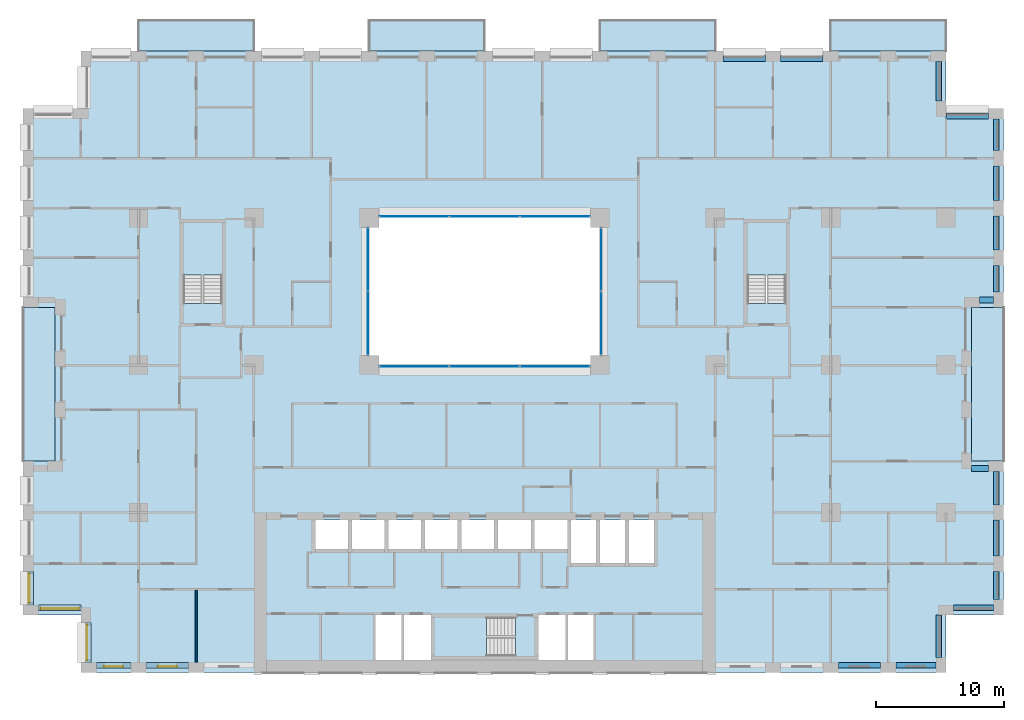
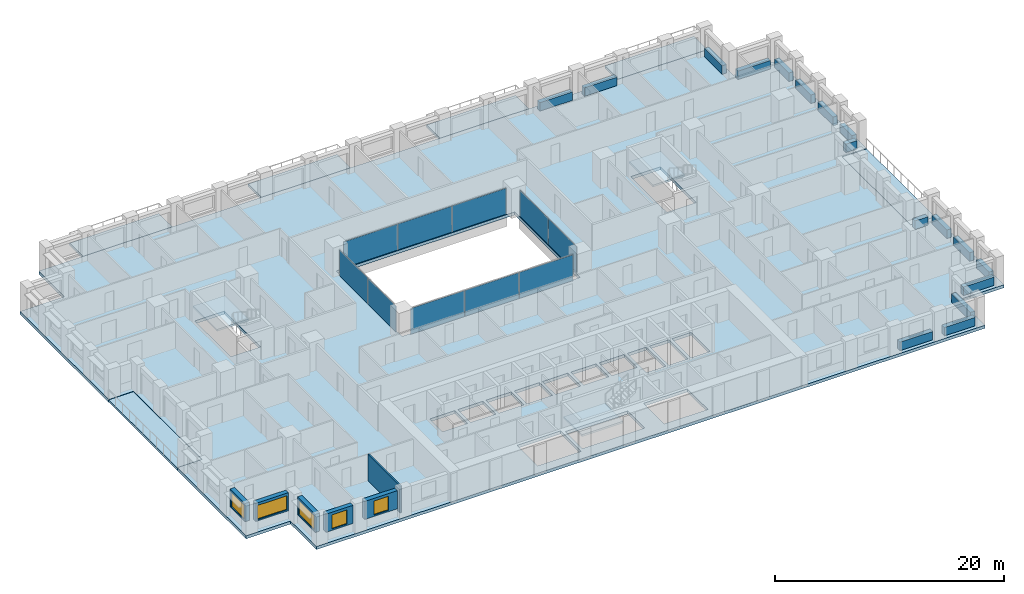
# One storey, part 8 of 19: 17 beams, 10 plates, 10 slabs, 6 walls, 5 windows, 5 openings, 7 elements without a shape of their own.
"""IFC4 building model written with IfcOpenShell, lengths in metres."""

from ifc_helpers import new_model, si_unit, direction, frame, frame_2d, origin, origin_2d, place, context, subcontext, project, spatial, polyline, rectangle, outline, extrude, material, layer, layer_set, material_profile, profile_set, type_object, element, fill, aggregate, save


model = new_model("IFC4")

# Units and contexts
model_context = context("Model", 3, precision=1e-05, world=origin(), true_north=direction((0.0, 1.0)))
body_context = subcontext(model_context, "Body", "Model", "MODEL_VIEW")
ifc_project = project(units=[si_unit("LENGTHUNIT", "METRE"), si_unit("AREAUNIT", "SQUARE_METRE"), si_unit("VOLUMEUNIT", "CUBIC_METRE"), si_unit("PLANEANGLEUNIT", "RADIAN"), si_unit("MASSUNIT", "GRAM", prefix="KILO")], contexts=[model_context])

# Site, building, storey
site_placement = place(None, origin())
site = spatial("IfcSite", under=ifc_project, at=site_placement, CompositionType="ELEMENT")
building_placement = place(site_placement, origin())
building = spatial("IfcBuilding", under=site, at=building_placement, Name="Brigalow Station Residences", CompositionType="ELEMENT")
storey_placement = place(building_placement, frame((0.0, 0.0, 22.64990234375)))
storey = spatial("IfcBuildingStorey", under=building, at=storey_placement, Name="L05", CompositionType="ELEMENT", Elevation=22.64990234375)

# Beams
ifc_material_1 = material(Name="Concrete C65", Category="concrete")
ifc_material_profile = material_profile(ifc_material_1, rectangle(XDim=0.449951171875, YDim=0.89990234375, at=origin_2d()), Name="RC450x900")
ifc_profile_set = profile_set([ifc_material_profile], Name="Concrete C65")
beam_type = type_object("IfcBeamType", Name="SPANDREL BEAM 450x900 C65", PredefinedType="SPANDREL", material=ifc_profile_set)
beam_1_placement = place(storey_placement, frame((63.60009765625, 0.574951171875, 0.4501953125), z_axis=(1.0, 0.0, 0.0), x_axis=(0.0, 1.0, 0.0)))
element("IfcBeam", 1, at=beam_1_placement, inside=storey, type_object=beam_type, Name="L05/spandrel/W-L05-7", PredefinedType="SPANDREL", context=body_context, shape_type="SweptSolid", body=[
    extrude(rectangle(XDim=0.449951171875, YDim=0.89990234375, at=origin_2d()), origin(), (0.0, 0.0, 1.0), 3.2998046875),
])
beam_2_placement = place(storey_placement, frame((68.10009765625, 0.574951171875, 0.4501953125), z_axis=(1.0, 0.0, 0.0), x_axis=(0.0, 1.0, 0.0)))
element("IfcBeam", 2, at=beam_2_placement, inside=storey, type_object=beam_type, Name="L05/spandrel/W-L05-8", PredefinedType="SPANDREL", context=body_context, shape_type="SweptSolid", body=[
    extrude(rectangle(XDim=0.449951171875, YDim=0.89990234375, at=origin_2d()), origin(), (0.0, 0.0, 1.0), 3.099853515625),
])
beam_3_placement = place(storey_placement, frame((71.425048828125, 1.199951171875, 0.4501953125), z_axis=(0.0, 1.0, 0.0), x_axis=(-1.0, 0.0, 0.0)))
element("IfcBeam", 3, at=beam_3_placement, inside=storey, type_object=beam_type, Name="L05/spandrel/W-L05-9", PredefinedType="SPANDREL", context=body_context, shape_type="SweptSolid", body=[
    extrude(rectangle(XDim=0.449951171875, YDim=0.89990234375, at=origin_2d()), origin(), (0.0, 0.0, 1.0), 3.300048828125),
])
beam_4_placement = place(storey_placement, frame((72.60009765625, 5.074951171875, 0.4501953125), z_axis=(1.0, 0.0, 0.0), x_axis=(0.0, 1.0, 0.0)))
element("IfcBeam", 4, at=beam_4_placement, inside=storey, type_object=beam_type, Name="L05/spandrel/W-L05-10", PredefinedType="SPANDREL", context=body_context, shape_type="SweptSolid", body=[
    extrude(rectangle(XDim=0.449951171875, YDim=0.89990234375, at=origin_2d()), origin(), (0.0, 0.0, 1.0), 3.099853515625),
])
beam_5_placement = place(storey_placement, frame((75.925048828125, 5.699951171875, 0.4501953125), z_axis=(0.0, 1.0, 0.0), x_axis=(-1.0, 0.0, 0.0)))
element("IfcBeam", 5, at=beam_5_placement, inside=storey, type_object=beam_type, Name="L05/spandrel/W-L05-11", PredefinedType="SPANDREL", context=body_context, shape_type="SweptSolid", body=[
    extrude(rectangle(XDim=0.449951171875, YDim=0.89990234375, at=origin_2d()), origin(), (0.0, 0.0, 1.0), 2.199951171875),
])
beam_6_placement = place(storey_placement, frame((75.925048828125, 9.10009765625, 0.4501953125), z_axis=(0.0, 1.0, 0.0), x_axis=(-1.0, 0.0, 0.0)))
element("IfcBeam", 6, at=beam_6_placement, inside=storey, type_object=beam_type, Name="L05/spandrel/W-L05-12", PredefinedType="SPANDREL", context=body_context, shape_type="SweptSolid", body=[
    extrude(rectangle(XDim=0.449951171875, YDim=0.89990234375, at=origin_2d()), origin(), (0.0, 0.0, 1.0), 2.7998046875),
])
beam_7_placement = place(storey_placement, frame((75.925048828125, 13.10009765625, 0.4501953125), z_axis=(0.0, 1.0, 0.0), x_axis=(-1.0, 0.0, 0.0)))
element("IfcBeam", 7, at=beam_7_placement, inside=storey, type_object=beam_type, Name="L05/spandrel/W-L05-13", PredefinedType="SPANDREL", context=body_context, shape_type="SweptSolid", body=[
    extrude(rectangle(XDim=0.449951171875, YDim=0.89990234375, at=origin_2d()), origin(), (0.0, 0.0, 1.0), 2.599853515625),
])
beam_8_placement = place(storey_placement, frame((75.300048828125, 15.925048828125, 0.4501953125), z_axis=(-1.0, 0.0, 0.0), x_axis=(0.0, -1.0, 0.0)))
element("IfcBeam", 8, at=beam_8_placement, inside=storey, type_object=beam_type, Name="L05/spandrel/W-L05-14", PredefinedType="SPANDREL", context=body_context, shape_type="SweptSolid", body=[
    extrude(rectangle(XDim=0.449951171875, YDim=0.89990234375, at=origin_2d()), origin(), (0.0, 0.0, 1.0), 1.300048828125),
])
beam_9_placement = place(storey_placement, frame((74.60009765625, 29.074951171875, 0.4501953125), z_axis=(1.0, 0.0, 0.0), x_axis=(0.0, 1.0, 0.0)))
element("IfcBeam", 9, at=beam_9_placement, inside=storey, type_object=beam_type, Name="L05/spandrel/W-L05-18", PredefinedType="SPANDREL", context=body_context, shape_type="SweptSolid", body=[
    extrude(rectangle(XDim=0.449951171875, YDim=0.89990234375, at=origin_2d()), origin(), (0.0, 0.0, 1.0), 1.099853515625),
])
beam_10_placement = place(storey_placement, frame((75.925048828125, 29.699951171875, 0.4501953125), z_axis=(0.0, 1.0, 0.0), x_axis=(-1.0, 0.0, 0.0)))
element("IfcBeam", 10, at=beam_10_placement, inside=storey, type_object=beam_type, Name="L05/spandrel/W-L05-19", PredefinedType="SPANDREL", context=body_context, shape_type="SweptSolid", body=[
    extrude(rectangle(XDim=0.449951171875, YDim=0.89990234375, at=origin_2d()), origin(), (0.0, 0.0, 1.0), 2.074951171875),
])
for number, where, z_axis, x_axis, name in (
    (11, (75.925048828125, 32.97509765625, 0.4501953125), (0.0, 1.0, 0.0), (-1.0, 0.0, 0.0), "L05/spandrel/W-L05-20"),
    (12, (75.925048828125, 36.85009765625, 0.4501953125), (0.0, 1.0, 0.0), (-1.0, 0.0, 0.0), "L05/spandrel/W-L05-21"),
):
    element("IfcBeam", number, at=place(storey_placement, frame(where, z_axis=z_axis, x_axis=x_axis)), inside=storey, type_object=beam_type, Name=name, PredefinedType="SPANDREL", context=body_context, shape_type="SweptSolid", body=[
        extrude(rectangle(XDim=0.449951171875, YDim=0.89990234375, at=origin_2d()), origin(), (0.0, 0.0, 1.0), 2.6748046875),
    ])
beam_11_placement = place(storey_placement, frame((75.925048828125, 40.72509765625, 0.4501953125), z_axis=(0.0, 1.0, 0.0), x_axis=(-1.0, 0.0, 0.0)))
element("IfcBeam", 13, at=beam_11_placement, inside=storey, type_object=beam_type, Name="L05/spandrel/W-L05-22", PredefinedType="SPANDREL", context=body_context, shape_type="SweptSolid", body=[
    extrude(rectangle(XDim=0.449951171875, YDim=0.89990234375, at=origin_2d()), origin(), (0.0, 0.0, 1.0), 2.474853515625),
])
beam_12_placement = place(storey_placement, frame((75.300048828125, 43.425048828125, 0.4501953125), z_axis=(-1.0, 0.0, 0.0), x_axis=(0.0, -1.0, 0.0)))
element("IfcBeam", 14, at=beam_12_placement, inside=storey, type_object=beam_type, Name="L05/spandrel/W-L05-23", PredefinedType="SPANDREL", context=body_context, shape_type="SweptSolid", body=[
    extrude(rectangle(XDim=0.449951171875, YDim=0.89990234375, at=origin_2d()), origin(), (0.0, 0.0, 1.0), 3.300048828125),
])
beam_13_placement = place(storey_placement, frame((71.425048828125, 44.60009765625, 0.4501953125), z_axis=(0.0, 1.0, 0.0), x_axis=(-1.0, 0.0, 0.0)))
element("IfcBeam", 15, at=beam_13_placement, inside=storey, type_object=beam_type, Name="L05/spandrel/W-L05-24", PredefinedType="SPANDREL", context=body_context, shape_type="SweptSolid", body=[
    extrude(rectangle(XDim=0.449951171875, YDim=0.89990234375, at=origin_2d()), origin(), (0.0, 0.0, 1.0), 3.099853515625),
])
for number, where, z_axis, x_axis, name in (
    (16, (62.39990234375, 47.925048828125, 0.4501953125), (-1.0, 0.0, 0.0), (0.0, -1.0, 0.0), "L05/spandrel/W-L05-27"),
    (17, (57.89990234375, 47.925048828125, 0.4501953125), (-1.0, 0.0, 0.0), (0.0, -1.0, 0.0), "L05/spandrel/W-L05-28"),
):
    element("IfcBeam", number, at=place(storey_placement, frame(where, z_axis=z_axis, x_axis=x_axis)), inside=storey, type_object=beam_type, Name=name, PredefinedType="SPANDREL", context=body_context, shape_type="SweptSolid", body=[
        extrude(rectangle(XDim=0.449951171875, YDim=0.89990234375, at=origin_2d()), origin(), (0.0, 0.0, 1.0), 3.2998046875),
    ])

# Curtain wall, plates
ifc_material_2 = material(Name="Aluminium", Category="aluminium")
ifc_layer_1 = layer(ifc_material_2, 0.14990234375)
ifc_layer_set_1 = layer_set([ifc_layer_1], Name="ATRIUM FIRE-RATED GLAZING CURTAIN WALL")
curtain_wall_type = type_object("IfcCurtainWallType", Name="ATRIUM FIRE-RATED GLAZING CURTAIN WALL", PredefinedType="NOTDEFINED", material=ifc_layer_set_1)
curtain_wall_1_placement = place(storey_placement, origin())
curtain_wall_1 = element("IfcCurtainWall", 18, at=curtain_wall_1_placement, inside=storey, type_object=curtain_wall_type, Name="L05/cw/atrium-S", PredefinedType="NOTDEFINED")
ifc_material_3 = material(Name="Fire-resisting laminated glazing, FRL -/60/-", Category="glass")
ifc_layer_2 = layer(ifc_material_3, 0.031982421875)
ifc_layer_set_2 = layer_set([ifc_layer_2], Name="ATRIUM FIRE-RATED GLAZING PANEL 32")
plate_type = type_object("IfcPlateType", Name="ATRIUM FIRE-RATED GLAZING PANEL 32", PredefinedType="CURTAIN_PANEL", material=ifc_layer_set_2)
plate_1_placement = place(storey_placement, frame((30.514892578125, 23.89990234375, 0.0), z_axis=(0.0, 0.0, 1.0), x_axis=(1.0, 0.0, 0.0)))
plate_1 = element("IfcPlate", 19, at=plate_1_placement, type_object=plate_type, Name="L05/cw/atrium-S/P00-00", PredefinedType="CURTAIN_PANEL", context=body_context, shape_type="SweptSolid", body=[
    extrude(rectangle(XDim=5.409912109375, YDim=0.031982421875, at=origin_2d()), origin(), (0.0, 0.0, 1.0), 2.77001953125),
])
plate_2_placement = place(storey_placement, frame((36.0, 23.89990234375, 0.0), z_axis=(0.0, 0.0, 1.0), x_axis=(1.0, 0.0, 0.0)))
plate_2 = element("IfcPlate", 20, at=plate_2_placement, type_object=plate_type, Name="L05/cw/atrium-S/P01-00", PredefinedType="CURTAIN_PANEL", context=body_context, shape_type="SweptSolid", body=[
    extrude(rectangle(XDim=5.43994140625, YDim=0.031982421875, at=origin_2d()), origin(), (0.0, 0.0, 1.0), 2.77001953125),
])
plate_3_placement = place(storey_placement, frame((41.485107421875, 23.89990234375, 0.0), z_axis=(0.0, 0.0, 1.0), x_axis=(1.0, 0.0, 0.0)))
plate_3 = element("IfcPlate", 21, at=plate_3_placement, type_object=plate_type, Name="L05/cw/atrium-S/P02-00", PredefinedType="CURTAIN_PANEL", context=body_context, shape_type="SweptSolid", body=[
    extrude(rectangle(XDim=5.409912109375, YDim=0.031982421875, at=origin_2d()), origin(), (0.0, 0.0, 1.0), 2.77001953125),
])
aggregate(curtain_wall_1, [plate_1, plate_2, plate_3])

curtain_wall_2_placement = place(storey_placement, origin())
curtain_wall_2 = element("IfcCurtainWall", 22, at=curtain_wall_2_placement, inside=storey, type_object=curtain_wall_type, Name="L05/cw/atrium-E", PredefinedType="NOTDEFINED")
plate_4_placement = place(storey_placement, frame((45.10009765625, 27.264892578125, 0.0), z_axis=(0.0, 0.0, 1.0), x_axis=(0.0, 1.0, 0.0)))
plate_4 = element("IfcPlate", 23, at=plate_4_placement, type_object=plate_type, Name="L05/cw/atrium-E/P00-00", PredefinedType="CURTAIN_PANEL", context=body_context, shape_type="SweptSolid", body=[
    extrude(rectangle(XDim=4.909912109375, YDim=0.031982421875, at=origin_2d()), origin(), (0.0, 0.0, 1.0), 2.77001953125),
])
plate_5_placement = place(storey_placement, frame((45.10009765625, 32.235107421875, 0.0), z_axis=(0.0, 0.0, 1.0), x_axis=(0.0, 1.0, 0.0)))
plate_5 = element("IfcPlate", 24, at=plate_5_placement, type_object=plate_type, Name="L05/cw/atrium-E/P01-00", PredefinedType="CURTAIN_PANEL", context=body_context, shape_type="SweptSolid", body=[
    extrude(rectangle(XDim=4.909912109375, YDim=0.031982421875, at=origin_2d()), origin(), (0.0, 0.0, 1.0), 2.77001953125),
])
aggregate(curtain_wall_2, [plate_4, plate_5])

curtain_wall_3_placement = place(storey_placement, origin())
curtain_wall_3 = element("IfcCurtainWall", 25, at=curtain_wall_3_placement, inside=storey, type_object=curtain_wall_type, Name="L05/cw/atrium-N", PredefinedType="NOTDEFINED")
plate_6_placement = place(storey_placement, frame((41.485107421875, 35.60009765625, 0.0), z_axis=(0.0, 0.0, 1.0), x_axis=(-1.0, 0.0, 0.0)))
plate_6 = element("IfcPlate", 26, at=plate_6_placement, type_object=plate_type, Name="L05/cw/atrium-N/P00-00", PredefinedType="CURTAIN_PANEL", context=body_context, shape_type="SweptSolid", body=[
    extrude(rectangle(XDim=5.409912109375, YDim=0.031982421875, at=origin_2d()), origin(), (0.0, 0.0, 1.0), 2.77001953125),
])
plate_7_placement = place(storey_placement, frame((36.0, 35.60009765625, 0.0), z_axis=(0.0, 0.0, 1.0), x_axis=(-1.0, 0.0, 0.0)))
plate_7 = element("IfcPlate", 27, at=plate_7_placement, type_object=plate_type, Name="L05/cw/atrium-N/P01-00", PredefinedType="CURTAIN_PANEL", context=body_context, shape_type="SweptSolid", body=[
    extrude(rectangle(XDim=5.43994140625, YDim=0.031982421875, at=origin_2d()), origin(), (0.0, 0.0, 1.0), 2.77001953125),
])
plate_8_placement = place(storey_placement, frame((30.514892578125, 35.60009765625, 0.0), z_axis=(0.0, 0.0, 1.0), x_axis=(-1.0, 0.0, 0.0)))
plate_8 = element("IfcPlate", 28, at=plate_8_placement, type_object=plate_type, Name="L05/cw/atrium-N/P02-00", PredefinedType="CURTAIN_PANEL", context=body_context, shape_type="SweptSolid", body=[
    extrude(rectangle(XDim=5.409912109375, YDim=0.031982421875, at=origin_2d()), origin(), (0.0, 0.0, 1.0), 2.77001953125),
])
aggregate(curtain_wall_3, [plate_6, plate_7, plate_8])

curtain_wall_4_placement = place(storey_placement, origin())
curtain_wall_4 = element("IfcCurtainWall", 29, at=curtain_wall_4_placement, inside=storey, type_object=curtain_wall_type, Name="L05/cw/atrium-W", PredefinedType="NOTDEFINED")
plate_9_placement = place(storey_placement, frame((26.89990234375, 32.235107421875, 0.0), z_axis=(0.0, 0.0, 1.0), x_axis=(0.0, -1.0, 0.0)))
plate_9 = element("IfcPlate", 30, at=plate_9_placement, type_object=plate_type, Name="L05/cw/atrium-W/P00-00", PredefinedType="CURTAIN_PANEL", context=body_context, shape_type="SweptSolid", body=[
    extrude(rectangle(XDim=4.909912109375, YDim=0.031982421875, at=origin_2d()), origin(), (0.0, 0.0, 1.0), 2.77001953125),
])
plate_10_placement = place(storey_placement, frame((26.89990234375, 27.264892578125, 0.0), z_axis=(0.0, 0.0, 1.0), x_axis=(0.0, -1.0, 0.0)))
plate_10 = element("IfcPlate", 31, at=plate_10_placement, type_object=plate_type, Name="L05/cw/atrium-W/P01-00", PredefinedType="CURTAIN_PANEL", context=body_context, shape_type="SweptSolid", body=[
    extrude(rectangle(XDim=4.909912109375, YDim=0.031982421875, at=origin_2d()), origin(), (0.0, 0.0, 1.0), 2.77001953125),
])
aggregate(curtain_wall_4, [plate_9, plate_10])

# Slabs
ifc_material_4 = material(Name="Concrete C50 precast", Category="concrete")
ifc_layer_3 = layer(ifc_material_4, 0.25)
ifc_layer_set_3 = layer_set([ifc_layer_3], Name="BALCONY SLAB 250")
slab_type_1 = type_object("IfcSlabType", Name="BALCONY SLAB 250", PredefinedType="USERDEFINED", material=ifc_layer_set_3)
slab_1_placement = place(storey_placement, frame((0.0, 0.0, -0.289794921875)))
element("IfcSlab", 32, at=slab_1_placement, inside=storey, type_object=slab_type_1, Name="L05/balcony/1", ObjectType="BALCONY", PredefinedType="USERDEFINED", context=body_context, shape_type="SweptSolid", body=[
    extrude(outline(polyline([(74.0, 16.5), (76.5, 16.5), (76.5, 28.5), (74.0, 28.5), (74.0, 16.5)])), origin(), (0.0, 0.0, 1.0), 0.25),
])
slab_2_placement = place(storey_placement, frame((0.0, 0.0, -0.289794921875)))
element("IfcSlab", 33, at=slab_2_placement, inside=storey, type_object=slab_type_1, Name="L05/balcony/2", ObjectType="BALCONY", PredefinedType="USERDEFINED", context=body_context, shape_type="SweptSolid", body=[
    extrude(outline(polyline([(72.0, 48.5), (72.0, 50.89990234375), (63.0, 50.89990234375), (63.0, 48.5), (72.0, 48.5)])), origin(), (0.0, 0.0, 1.0), 0.25),
])
slab_3_placement = place(storey_placement, frame((0.0, 0.0, -0.289794921875)))
element("IfcSlab", 34, at=slab_3_placement, inside=storey, type_object=slab_type_1, Name="L05/balcony/3", ObjectType="BALCONY", PredefinedType="USERDEFINED", context=body_context, shape_type="SweptSolid", body=[
    extrude(outline(polyline([(54.0, 48.5), (54.0, 50.89990234375), (45.0, 50.89990234375), (45.0, 48.5), (54.0, 48.5)])), origin(), (0.0, 0.0, 1.0), 0.25),
])
slab_4_placement = place(storey_placement, frame((0.0, 0.0, -0.289794921875)))
element("IfcSlab", 35, at=slab_4_placement, inside=storey, type_object=slab_type_1, Name="L05/balcony/4", ObjectType="BALCONY", PredefinedType="USERDEFINED", context=body_context, shape_type="SweptSolid", body=[
    extrude(outline(polyline([(36.0, 48.5), (36.0, 50.89990234375), (27.0, 50.89990234375), (27.0, 48.5), (36.0, 48.5)])), origin(), (0.0, 0.0, 1.0), 0.25),
])
slab_5_placement = place(storey_placement, frame((0.0, 0.0, -0.289794921875)))
element("IfcSlab", 36, at=slab_5_placement, inside=storey, type_object=slab_type_1, Name="L05/balcony/5", ObjectType="BALCONY", PredefinedType="USERDEFINED", context=body_context, shape_type="SweptSolid", body=[
    extrude(outline(polyline([(18.0, 48.5), (18.0, 50.89990234375), (9.0, 50.89990234375), (9.0, 48.5), (18.0, 48.5)])), origin(), (0.0, 0.0, 1.0), 0.25),
])
slab_6_placement = place(storey_placement, frame((0.0, 0.0, -0.289794921875)))
element("IfcSlab", 37, at=slab_6_placement, inside=storey, type_object=slab_type_1, Name="L05/balcony/6", ObjectType="BALCONY", PredefinedType="USERDEFINED", context=body_context, shape_type="SweptSolid", body=[
    extrude(outline(polyline([(2.5, 28.5), (0.0, 28.5), (0.0, 16.5), (2.5, 16.5), (2.5, 28.5)])), origin(), (0.0, 0.0, 1.0), 0.25),
])
ifc_material_5 = material(Name="Concrete C50", Category="concrete")
ifc_layer_4 = layer(ifc_material_5, 0.320068359375)
ifc_layer_set_4 = layer_set([ifc_layer_4], Name="POST-TENSIONED FLAT PLATE 320 C50")
slab_type_2 = type_object("IfcSlabType", Name="POST-TENSIONED FLAT PLATE 320 C50", PredefinedType="FLOOR", material=ifc_layer_set_4)
slab_7_placement = place(storey_placement, frame((0.0, 0.0, -0.31982421875)))
element("IfcSlab", 38, at=slab_7_placement, inside=storey, type_object=slab_type_2, Name="FLOOR SLAB L05", PredefinedType="FLOOR", context=body_context, shape_type="SweptSolid", body=[
    extrude(outline(polyline([(4.5, 0.0), (72.0, 0.0), (72.0, 4.5), (76.5, 4.5), (76.5, 16.5), (74.0, 16.5), (74.0, 28.5), (76.5, 28.5), (76.5, 44.0), (72.0, 44.0), (72.0, 48.5), (4.5, 48.5), (4.5, 44.0), (0.0, 44.0), (0.0, 28.5), (2.5, 28.5), (2.5, 16.5), (0.0, 16.5), (0.0, 4.5), (4.5, 4.5), (4.5, 0.0)]), holes=[polyline([(15.4951171875, 35.094970703125), (15.4951171875, 28.804931640625), (12.5048828125, 28.804931640625), (12.5048828125, 35.094970703125), (15.4951171875, 35.094970703125)]), polyline([(22.800048828125, 11.89990234375), (25.35009765625, 11.89990234375), (25.35009765625, 9.64990234375), (22.800048828125, 9.64990234375), (22.800048828125, 11.89990234375)]), polyline([(25.64990234375, 11.89990234375), (28.199951171875, 11.89990234375), (28.199951171875, 9.64990234375), (25.64990234375, 9.64990234375), (25.64990234375, 11.89990234375)]), polyline([(28.5, 11.89990234375), (31.050048828125, 11.89990234375), (31.050048828125, 9.64990234375), (28.5, 9.64990234375), (28.5, 11.89990234375)]), polyline([(29.60009765625, 1.0), (27.39990234375, 1.0), (27.39990234375, 4.60009765625), (29.60009765625, 4.60009765625), (31.800048828125, 4.60009765625), (31.800048828125, 1.0), (29.60009765625, 1.0)]), polyline([(31.35009765625, 11.89990234375), (33.89990234375, 11.89990234375), (33.89990234375, 9.64990234375), (31.35009765625, 9.64990234375), (31.35009765625, 11.89990234375)]), polyline([(32.10498046875, 4.294921875), (38.39501953125, 4.294921875), (38.39501953125, 1.304931640625), (32.10498046875, 1.304931640625), (32.10498046875, 4.294921875)]), polyline([(36.75, 11.89990234375), (36.75, 9.64990234375), (34.199951171875, 9.64990234375), (34.199951171875, 11.89990234375), (36.75, 11.89990234375)]), polyline([(37.050048828125, 11.89990234375), (39.60009765625, 11.89990234375), (39.60009765625, 9.64990234375), (37.050048828125, 9.64990234375), (37.050048828125, 11.89990234375)]), polyline([(39.89990234375, 11.89990234375), (42.449951171875, 11.89990234375), (42.449951171875, 9.64990234375), (39.89990234375, 9.64990234375), (39.89990234375, 11.89990234375)]), polyline([(42.39990234375, 1.0), (40.199951171875, 1.0), (40.199951171875, 4.60009765625), (42.39990234375, 4.60009765625), (44.60009765625, 4.60009765625), (44.60009765625, 1.0), (42.39990234375, 1.0)]), polyline([(42.75, 11.89990234375), (44.699951171875, 11.89990234375), (44.699951171875, 8.550048828125), (42.75, 8.550048828125), (42.75, 11.89990234375)]), polyline([(45.0, 11.89990234375), (46.949951171875, 11.89990234375), (46.949951171875, 8.550048828125), (45.0, 8.550048828125), (45.0, 11.89990234375)]), polyline([(45.0, 35.5), (45.0, 24.0), (27.0, 24.0), (27.0, 35.5), (45.0, 35.5)]), polyline([(47.25, 11.89990234375), (49.199951171875, 11.89990234375), (49.199951171875, 8.550048828125), (47.25, 8.550048828125), (47.25, 11.89990234375)]), polyline([(59.4951171875, 35.094970703125), (59.4951171875, 28.804931640625), (56.5048828125, 28.804931640625), (56.5048828125, 35.094970703125), (59.4951171875, 35.094970703125)])]), origin(), (0.0, 0.0, 1.0), 0.31982421875),
])

# Stair, slab
ifc_material_6 = material(Name="Concrete C50", Category="concrete")
stair_type = type_object("IfcStairType", Name="EXIT STAIR 1400 2 FLIGHT", PredefinedType="HALF_TURN_STAIR", material=ifc_material_6)
stair_1_placement = place(storey_placement, origin())
stair_1 = element("IfcStair", 39, at=stair_1_placement, inside=storey, type_object=stair_type, Name="EXIT STAIR S2 L05", PredefinedType="HALF_TURN_STAIR")
ifc_material_7 = material(Name="Concrete C50", Category="concrete")
ifc_layer_5 = layer(ifc_material_7, 0.199951171875)
ifc_layer_set_5 = layer_set([ifc_layer_5], Name="STAIR LANDING 200")
slab_type_3 = type_object("IfcSlabType", Name="STAIR LANDING 200", PredefinedType="LANDING", material=ifc_layer_set_5)
slab_8_placement = place(storey_placement, frame((0.0, 0.0, 1.375)))
slab_8 = element("IfcSlab", 40, at=slab_8_placement, type_object=slab_type_3, Name="ST-2 landing 1", PredefinedType="LANDING", context=body_context, shape_type="SweptSolid", body=[
    extrude(outline(polyline([(32.0, 1.199951171875), (36.159912109375, 1.199951171875), (36.159912109375, 4.39990234375), (32.0, 4.39990234375), (32.0, 1.199951171875)])), origin(), (0.0, 0.0, 1.0), 0.2001953125),
])
aggregate(stair_1, [slab_8])

stair_2_placement = place(storey_placement, origin())
stair_2 = element("IfcStair", 41, at=stair_2_placement, inside=storey, type_object=stair_type, Name="EXIT STAIR S1 L05", PredefinedType="HALF_TURN_STAIR")
slab_9_placement = place(storey_placement, frame((0.0, 0.0, 1.375)))
slab_9 = element("IfcSlab", 42, at=slab_9_placement, type_object=slab_type_3, Name="ST-1 landing 1", PredefinedType="LANDING", context=body_context, shape_type="SweptSolid", body=[
    extrude(outline(polyline([(12.39990234375, 31.0400390625), (15.60009765625, 31.0400390625), (15.60009765625, 35.199951171875), (12.39990234375, 35.199951171875), (12.39990234375, 31.0400390625)])), origin(), (0.0, 0.0, 1.0), 0.2001953125),
])
aggregate(stair_2, [slab_9])

stair_3_placement = place(storey_placement, origin())
stair_3 = element("IfcStair", 43, at=stair_3_placement, inside=storey, type_object=stair_type, Name="EXIT STAIR S3 L05", PredefinedType="HALF_TURN_STAIR")
slab_10_placement = place(storey_placement, frame((0.0, 0.0, 1.375)))
slab_10 = element("IfcSlab", 44, at=slab_10_placement, type_object=slab_type_3, Name="ST-3 landing 1", PredefinedType="LANDING", context=body_context, shape_type="SweptSolid", body=[
    extrude(outline(polyline([(56.39990234375, 31.0400390625), (59.60009765625, 31.0400390625), (59.60009765625, 35.199951171875), (56.39990234375, 35.199951171875), (56.39990234375, 31.0400390625)])), origin(), (0.0, 0.0, 1.0), 0.2001953125),
])
aggregate(stair_3, [slab_10])

# Wall, opening, window
ifc_material_8 = material(Name="Clay brick masonry", Category="masonry")
ifc_layer_6 = layer(ifc_material_8, 0.449951171875)
ifc_layer_set_6 = layer_set([ifc_layer_6], Name="BRICK INFILL WALL 450")
wall_type_1 = type_object("IfcWallType", Name="BRICK INFILL WALL 450", PredefinedType="SOLIDWALL", material=ifc_layer_set_6)
wall_1_placement = place(storey_placement, frame((5.699951171875, 0.574951171875, 0.900146484375), z_axis=(0.0, 0.0, 1.0), x_axis=(1.0, 0.0, 0.0)))
wall_1 = element("IfcWall", 45, at=wall_1_placement, inside=storey, type_object=wall_type_1, Name="L05/ewall/W-L05-1", PredefinedType="SOLIDWALL", context=body_context, shape_type="SweptSolid", body=[
    extrude(rectangle(XDim=2.699951171875, YDim=0.449951171875, at=frame_2d((1.35009765625, 0.0))), origin(), (0.0, 0.0, 1.0), 1.929931640625),
])
opening_1_placement = place(wall_1_placement, frame((0.60009765625, 0.0, 0.14990234375)))
opening_1 = element("IfcOpeningElement", 46, at=opening_1_placement, cuts=wall_1, Name="Opening WT-1", PredefinedType="OPENING", context=body_context, shape_type="SweptSolid", body=[
    extrude(rectangle(XDim=1.5, YDim=1.5, at=frame_2d((0.75, 0.75))), frame((0.0, 0.23486328125, 0.0), z_axis=(0.0, -1.0, 0.0), x_axis=(1.0, 0.0, 0.0)), (0.0, 0.0, 1.0), 0.469970703125),
])
ifc_material_9 = material(Name="Anodised aluminium frame with double glazing", Category="aluminium")
window_type_1 = type_object("IfcWindowType", Name="WINDOW 1500x1500", PartitioningType="SINGLE_PANEL", PredefinedType="WINDOW", material=ifc_material_9)
window_1_placement = place(opening_1_placement, origin())
window_1 = element("IfcWindow", 47, at=window_1_placement, inside=storey, type_object=window_type_1, Name="L05/window/W-L05-1", OverallHeight=1.5, OverallWidth=1.5, PartitioningType="SINGLE_PANEL", PredefinedType="WINDOW", context=body_context, shape_type="SweptSolid", body=[
    extrude(rectangle(XDim=1.5, YDim=1.5, at=frame_2d((0.75, 0.75))), frame((0.0, -0.06494140625, 0.0), z_axis=(0.0, -1.0, 0.0), x_axis=(1.0, 0.0, 0.0)), (0.0, 0.0, 1.0), 0.06005859375),
])
fill(opening_1, window_1)

wall_2_placement = place(storey_placement, frame((9.60009765625, 0.574951171875, 0.900146484375), z_axis=(0.0, 0.0, 1.0), x_axis=(1.0, 0.0, 0.0)))
wall_2 = element("IfcWall", 48, at=wall_2_placement, inside=storey, type_object=wall_type_1, Name="L05/ewall/W-L05-2", PredefinedType="SOLIDWALL", context=body_context, shape_type="SweptSolid", body=[
    extrude(rectangle(XDim=3.2998046875, YDim=0.449951171875, at=frame_2d((1.64990234375, 0.0))), origin(), (0.0, 0.0, 1.0), 1.929931640625),
])
opening_2_placement = place(wall_2_placement, frame((0.89990234375, 0.0, 0.14990234375)))
opening_2 = element("IfcOpeningElement", 49, at=opening_2_placement, cuts=wall_2, Name="Opening WT-1", PredefinedType="OPENING", context=body_context, shape_type="SweptSolid", body=[
    extrude(rectangle(XDim=1.5, YDim=1.5, at=frame_2d((0.75, 0.75))), frame((0.0, 0.23486328125, 0.0), z_axis=(0.0, -1.0, 0.0), x_axis=(1.0, 0.0, 0.0)), (0.0, 0.0, 1.0), 0.469970703125),
])
window_2_placement = place(opening_2_placement, origin())
window_2 = element("IfcWindow", 50, at=window_2_placement, inside=storey, type_object=window_type_1, Name="L05/window/W-L05-2", OverallHeight=1.5, OverallWidth=1.5, PartitioningType="SINGLE_PANEL", PredefinedType="WINDOW", context=body_context, shape_type="SweptSolid", body=[
    extrude(rectangle(XDim=1.5, YDim=1.5, at=frame_2d((0.75, 0.75))), frame((0.0, -0.06494140625, 0.0), z_axis=(0.0, -1.0, 0.0), x_axis=(1.0, 0.0, 0.0)), (0.0, 0.0, 1.0), 0.06005859375),
])
fill(opening_2, window_2)

wall_3_placement = place(storey_placement, frame((0.574951171875, 7.89990234375, 0.900146484375), z_axis=(0.0, 0.0, 1.0), x_axis=(0.0, -1.0, 0.0)))
wall_3 = element("IfcWall", 51, at=wall_3_placement, inside=storey, type_object=wall_type_1, Name="L05/ewall/W-L05-53", PredefinedType="SOLIDWALL", context=body_context, shape_type="SweptSolid", body=[
    extrude(rectangle(XDim=2.599853515625, YDim=0.449951171875, at=frame_2d((1.2998046875, 0.0))), origin(), (0.0, 0.0, 1.0), 1.929931640625),
])
opening_3_placement = place(wall_3_placement, frame((0.175048828125, 0.0, 0.14990234375)))
opening_3 = element("IfcOpeningElement", 52, at=opening_3_placement, cuts=wall_3, Name="Opening WT-6", PredefinedType="OPENING", context=body_context, shape_type="SweptSolid", body=[
    extrude(rectangle(XDim=2.25, YDim=1.5, at=frame_2d((1.125, 0.75))), frame((0.0, 0.23486328125, 0.0), z_axis=(0.0, -1.0, 0.0), x_axis=(1.0, 0.0, 0.0)), (0.0, 0.0, 1.0), 0.469970703125),
])
ifc_material_10 = material(Name="Anodised aluminium frame with double glazing", Category="aluminium")
window_type_2 = type_object("IfcWindowType", Name="WINDOW 2250x1500", PartitioningType="SINGLE_PANEL", PredefinedType="WINDOW", material=ifc_material_10)
window_3_placement = place(opening_3_placement, origin())
window_3 = element("IfcWindow", 53, at=window_3_placement, inside=storey, type_object=window_type_2, Name="L05/window/W-L05-53", OverallHeight=1.5, OverallWidth=2.25, PartitioningType="SINGLE_PANEL", PredefinedType="WINDOW", context=body_context, shape_type="SweptSolid", body=[
    extrude(rectangle(XDim=2.25, YDim=1.5, at=frame_2d((1.125, 0.75))), frame((0.0, -0.06494140625, 0.0), z_axis=(0.0, -1.0, 0.0), x_axis=(1.0, 0.0, 0.0)), (0.0, 0.0, 1.0), 0.06005859375),
])
fill(opening_3, window_3)

wall_4_placement = place(storey_placement, frame((1.199951171875, 5.074951171875, 0.900146484375), z_axis=(0.0, 0.0, 1.0), x_axis=(1.0, 0.0, 0.0)))
wall_4 = element("IfcWall", 54, at=wall_4_placement, inside=storey, type_object=wall_type_1, Name="L05/ewall/W-L05-54", PredefinedType="SOLIDWALL", context=body_context, shape_type="SweptSolid", body=[
    extrude(rectangle(XDim=3.300048828125, YDim=0.449951171875, at=frame_2d((1.64990234375, 0.0))), origin(), (0.0, 0.0, 1.0), 1.929931640625),
])
opening_4_placement = place(wall_4_placement, frame((0.14990234375, 0.0, 0.14990234375)))
opening_4 = element("IfcOpeningElement", 55, at=opening_4_placement, cuts=wall_4, Name="Opening WT-2", PredefinedType="OPENING", context=body_context, shape_type="SweptSolid", body=[
    extrude(rectangle(XDim=3.0, YDim=1.5, at=frame_2d((1.5, 0.75))), frame((0.0, 0.23486328125, 0.0), z_axis=(0.0, -1.0, 0.0), x_axis=(1.0, 0.0, 0.0)), (0.0, 0.0, 1.0), 0.469970703125),
])
ifc_material_11 = material(Name="Anodised aluminium frame with double glazing", Category="aluminium")
window_type_3 = type_object("IfcWindowType", Name="WINDOW 3000x1500", PartitioningType="SINGLE_PANEL", PredefinedType="WINDOW", material=ifc_material_11)
window_4_placement = place(opening_4_placement, origin())
window_4 = element("IfcWindow", 56, at=window_4_placement, inside=storey, type_object=window_type_3, Name="L05/window/W-L05-54", OverallHeight=1.5, OverallWidth=3.0, PartitioningType="SINGLE_PANEL", PredefinedType="WINDOW", context=body_context, shape_type="SweptSolid", body=[
    extrude(rectangle(XDim=3.0, YDim=1.5, at=frame_2d((1.5, 0.75))), frame((0.0, -0.06494140625, 0.0), z_axis=(0.0, -1.0, 0.0), x_axis=(1.0, 0.0, 0.0)), (0.0, 0.0, 1.0), 0.06005859375),
])
fill(opening_4, window_4)

wall_5_placement = place(storey_placement, frame((5.074951171875, 3.89990234375, 0.900146484375), z_axis=(0.0, 0.0, 1.0), x_axis=(0.0, -1.0, 0.0)))
wall_5 = element("IfcWall", 57, at=wall_5_placement, inside=storey, type_object=wall_type_1, Name="L05/ewall/W-L05-55", PredefinedType="SOLIDWALL", context=body_context, shape_type="SweptSolid", body=[
    extrude(rectangle(XDim=3.099853515625, YDim=0.449951171875, at=frame_2d((1.5498046875, 0.0))), origin(), (0.0, 0.0, 1.0), 1.929931640625),
])
opening_5_placement = place(wall_5_placement, frame((0.175048828125, 0.0, 0.14990234375)))
opening_5 = element("IfcOpeningElement", 58, at=opening_5_placement, cuts=wall_5, Name="Opening WT-3", PredefinedType="OPENING", context=body_context, shape_type="SweptSolid", body=[
    extrude(rectangle(XDim=2.75, YDim=1.5, at=frame_2d((1.375, 0.75))), frame((0.0, 0.23486328125, 0.0), z_axis=(0.0, -1.0, 0.0), x_axis=(1.0, 0.0, 0.0)), (0.0, 0.0, 1.0), 0.469970703125),
])
ifc_material_12 = material(Name="Anodised aluminium frame with double glazing", Category="aluminium")
window_type_4 = type_object("IfcWindowType", Name="WINDOW 2750x1500", PartitioningType="SINGLE_PANEL", PredefinedType="WINDOW", material=ifc_material_12)
window_5_placement = place(opening_5_placement, origin())
window_5 = element("IfcWindow", 59, at=window_5_placement, inside=storey, type_object=window_type_4, Name="L05/window/W-L05-55", OverallHeight=1.5, OverallWidth=2.75, PartitioningType="SINGLE_PANEL", PredefinedType="WINDOW", context=body_context, shape_type="SweptSolid", body=[
    extrude(rectangle(XDim=2.75, YDim=1.5, at=frame_2d((1.375, 0.75))), frame((0.0, -0.06494140625, 0.0), z_axis=(0.0, -1.0, 0.0), x_axis=(1.0, 0.0, 0.0)), (0.0, 0.0, 1.0), 0.06005859375),
])
fill(opening_5, window_5)

# Wall
ifc_material_13 = material(Name="Plasterboard on steel stud partition", Category="steel")
ifc_layer_7 = layer(ifc_material_13, 0.14990234375)
ifc_layer_set_7 = layer_set([ifc_layer_7], Name="FLAT PARTITION 150")
wall_type_2 = type_object("IfcWallType", Name="FLAT PARTITION 150", PredefinedType="PARTITIONING", material=ifc_layer_set_7)
wall_6_placement = place(storey_placement, frame((13.5, 0.800048828125, 0.0), z_axis=(0.0, 0.0, 1.0), x_axis=(0.0, 1.0, 0.0)))
element("IfcWall", 60, at=wall_6_placement, inside=storey, type_object=wall_type_2, Name="PW-1A53", PredefinedType="PARTITIONING", context=body_context, shape_type="SweptSolid", body=[
    extrude(rectangle(XDim=5.625, YDim=0.14990234375, at=frame_2d((2.8125, 0.0))), origin(), (0.0, 0.0, 1.0), 2.830078125),
])

save(model, "model.ifc")
